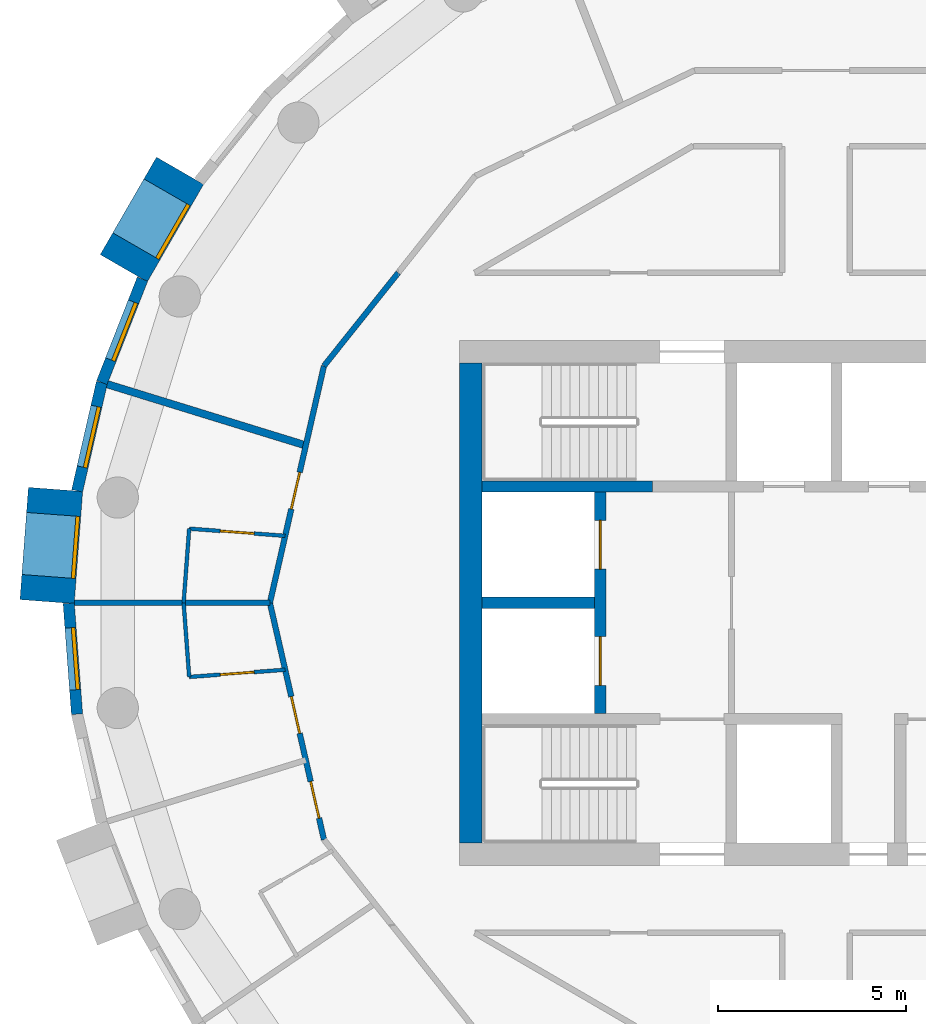
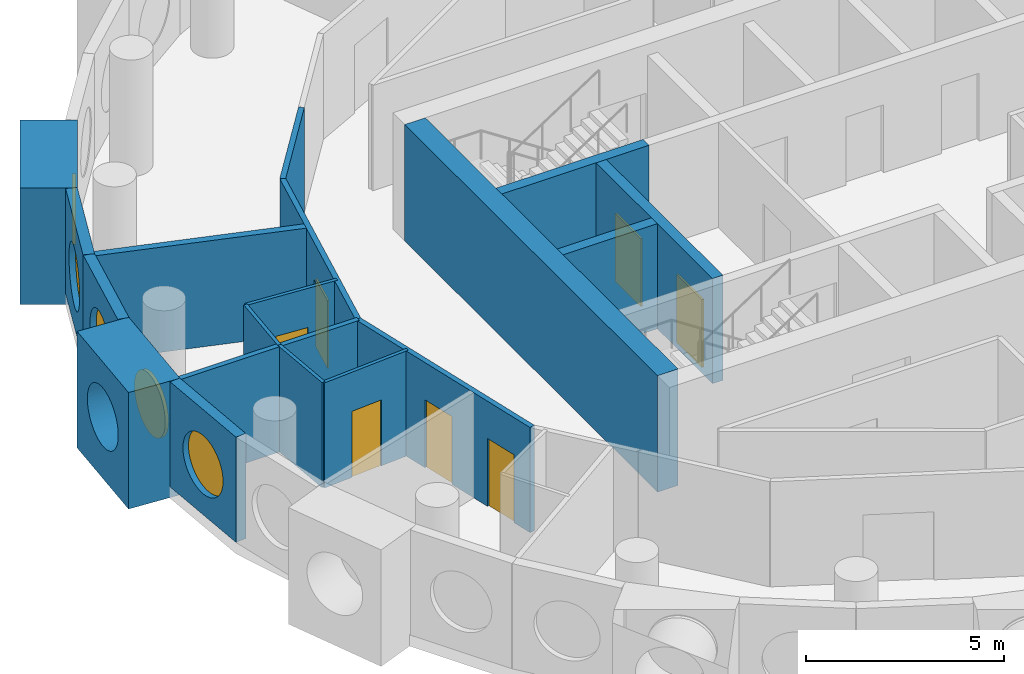
# One storey, part 5 of 11: 18 walls, 7 doors, 5 windows, 12 openings.
"""IFC4 building model written with IfcOpenShell, lengths in metres."""

from ifc_helpers import new_model, si_unit, direction, frame, frame_2d, origin, origin_2d, place, context, subcontext, project, spatial, rectangle, circle, extrude, material, layer, layer_set, type_object, element, fill, save


model = new_model("IFC4")

# Units and contexts
model_context = context("Model", 3, precision=1e-05, world=origin(), true_north=direction((0.0, 1.0)))
body_context = subcontext(model_context, "Body", "Model", "MODEL_VIEW")
ifc_project = project(units=[si_unit("LENGTHUNIT", "METRE"), si_unit("AREAUNIT", "SQUARE_METRE"), si_unit("VOLUMEUNIT", "CUBIC_METRE"), si_unit("PLANEANGLEUNIT", "RADIAN"), si_unit("MASSUNIT", "GRAM", prefix="KILO")], contexts=[model_context])

# Site, building, storey
site_placement = place(None, origin())
site = spatial("IfcSite", under=ifc_project, at=site_placement, CompositionType="ELEMENT")
building_placement = place(site_placement, origin())
building = spatial("IfcBuilding", under=site, at=building_placement, Name="Tracery Tower", CompositionType="ELEMENT")
storey_placement = place(building_placement, frame((0.0, 0.0, 238.199951171875)))
storey = spatial("IfcBuildingStorey", under=building, at=storey_placement, Name="L61", CompositionType="ELEMENT", Elevation=238.199951171875)

# Wall
ifc_material_1 = material(Name="Concrete C40/50", Category="concrete")
ifc_layer_1 = layer(ifc_material_1, 0.60009765625)
ifc_layer_set_1 = layer_set([ifc_layer_1], Name="Core wall 600 C40")
wall_type_1 = type_object("IfcWallType", Name="Core wall 600 C40", PredefinedType="SOLIDWALL", material=ifc_layer_set_1)
wall_1_placement = place(storey_placement, frame((-9.199951171875, -6.39990234375, 0.0), z_axis=(0.0, 0.0, 1.0), x_axis=(0.0, 1.0, 0.0)))
element("IfcWall", 1, at=wall_1_placement, inside=storey, type_object=wall_type_1, Name="L61 outer W", PredefinedType="SOLIDWALL", context=body_context, shape_type="SweptSolid", body=[
    extrude(rectangle(XDim=12.7998046875, YDim=0.60009765625, at=frame_2d((6.39990234375, 0.0))), origin(), (0.0, 0.0, 1.0), 3.60009765625),
])

# Wall, opening, window
ifc_material_2 = material(Name="Precast concrete C50/60", Category="concrete")
ifc_layer_2 = layer(ifc_material_2, 1.449951171875)
ifc_layer_set_2 = layer_set([ifc_layer_2], Name="Deep-set bay unit 3000 x 3600, slab edge 350")
wall_type_2 = type_object("IfcWallType", Name="Deep-set bay unit 3000 x 3600, slab edge 350", PredefinedType="ELEMENTEDWALL", material=ifc_layer_set_2)
wall_2_placement = place(storey_placement, frame((-16.952392578125, 11.51953125, -0.349853515625), z_axis=(0.0, 0.0, 1.0), x_axis=(-0.499990139034, -0.866031096941, 0.0)))
wall_2 = element("IfcWall", 2, at=wall_2_placement, inside=storey, type_object=wall_type_2, Name="Deep-set bay unit 18 at L61", PredefinedType="ELEMENTEDWALL", context=body_context, shape_type="SweptSolid", body=[
    extrude(rectangle(XDim=3.0, YDim=1.449951171875, at=frame_2d((1.5, 0.0))), origin(), (0.0, 0.0, 1.0), 3.599853515625),
])
opening_1_placement = place(wall_2_placement, frame((1.5, 0.0, 1.89990234375)))
opening_1 = element("IfcOpeningElement", 3, at=opening_1_placement, cuts=wall_2, Name="Opening WN1", PredefinedType="OPENING", context=body_context, shape_type="SweptSolid", body=[
    extrude(circle(Radius=0.9000244140625, at=origin_2d()), frame((0.0, 0.73486328125, 0.0), z_axis=(0.0, -1.0, 0.0), x_axis=(1.0, 0.0, 0.0)), (0.0, 0.0, 1.0), 1.469970703125),
])
ifc_material_3 = material(Name="Aluminium frame with tinted double glazing", Category="aluminium")
window_type = type_object("IfcWindowType", Name="Round window 1800", PartitioningType="SINGLE_PANEL", PredefinedType="WINDOW", material=ifc_material_3)
window_1_placement = place(opening_1_placement, origin())
window_1 = element("IfcWindow", 4, at=window_1_placement, inside=storey, type_object=window_type, Name="Round window 18 at L61", OverallHeight=1.800048828125, OverallWidth=1.800048828125, PartitioningType="SINGLE_PANEL", PredefinedType="WINDOW", context=body_context, shape_type="SweptSolid", body=[
    extrude(circle(Radius=0.9000244140625, at=origin_2d()), frame((0.0, 0.69482421875, 0.0), z_axis=(0.0, -1.0, 0.0), x_axis=(1.0, 0.0, 0.0)), (0.0, 0.0, 1.0), 0.10009765625),
])
fill(opening_1, window_1)

wall_3_placement = place(storey_placement, frame((-20.271728515625, 3.0234375, -0.349853515625), z_axis=(0.0, 0.0, 1.0), x_axis=(-0.074785902127, -0.997199613339, 0.0)))
wall_3 = element("IfcWall", 5, at=wall_3_placement, inside=storey, type_object=wall_type_2, Name="Deep-set bay unit 21 at L61", PredefinedType="ELEMENTEDWALL", context=body_context, shape_type="SweptSolid", body=[
    extrude(rectangle(XDim=3.0, YDim=1.449951171875, at=frame_2d((1.5, 0.0))), origin(), (0.0, 0.0, 1.0), 3.599853515625),
])
opening_2_placement = place(wall_3_placement, frame((1.5, 0.0, 1.89990234375)))
opening_2 = element("IfcOpeningElement", 6, at=opening_2_placement, cuts=wall_3, Name="Opening WN1", PredefinedType="OPENING", context=body_context, shape_type="SweptSolid", body=[
    extrude(circle(Radius=0.9000244140625, at=origin_2d()), frame((0.0, 0.73486328125, 0.0), z_axis=(0.0, -1.0, 0.0), x_axis=(1.0, 0.0, 0.0)), (0.0, 0.0, 1.0), 1.469970703125),
])
window_2_placement = place(opening_2_placement, origin())
window_2 = element("IfcWindow", 7, at=window_2_placement, inside=storey, type_object=window_type, Name="Round window 21 at L61", OverallHeight=1.800048828125, OverallWidth=1.800048828125, PartitioningType="SINGLE_PANEL", PredefinedType="WINDOW", context=body_context, shape_type="SweptSolid", body=[
    extrude(circle(Radius=0.9000244140625, at=origin_2d()), frame((0.0, 0.69482421875, 0.0), z_axis=(0.0, -1.0, 0.0), x_axis=(1.0, 0.0, 0.0)), (0.0, 0.0, 1.0), 0.10009765625),
])
fill(opening_2, window_2)

ifc_material_4 = material(Name="Precast concrete C50/60", Category="concrete")
ifc_layer_3 = layer(ifc_material_4, 0.300048828125)
ifc_layer_set_3 = layer_set([ifc_layer_3], Name="Facade panel 3000 x 3250")
wall_type_3 = type_object("IfcWallType", Name="Facade panel 3000 x 3250", PredefinedType="SOLIDWALL", material=ifc_layer_set_3)
wall_4_placement = place(storey_placement, frame((-17.95458984375, 8.62939453125, 0.0), z_axis=(0.0, 0.0, 1.0), x_axis=(-0.36530043032, -0.930889679612, 0.0)))
wall_4 = element("IfcWall", 8, at=wall_4_placement, inside=storey, type_object=wall_type_3, Name="Facade panel 19 at L61", PredefinedType="SOLIDWALL", context=body_context, shape_type="SweptSolid", body=[
    extrude(rectangle(XDim=2.9619140625, YDim=0.300048828125, at=frame_2d((1.48095703125, 0.0))), origin(), (0.0, 0.0, 1.0), 3.25),
])
opening_3_placement = place(wall_4_placement, frame((1.48095703125, 0.0, 1.5498046875)))
opening_3 = element("IfcOpeningElement", 9, at=opening_3_placement, cuts=wall_4, Name="Opening WN1", PredefinedType="OPENING", context=body_context, shape_type="SweptSolid", body=[
    extrude(circle(Radius=0.9000244140625, at=origin_2d()), frame((0.0, 0.159912109375, 0.0), z_axis=(0.0, -1.0, 0.0), x_axis=(1.0, 0.0, 0.0)), (0.0, 0.0, 1.0), 0.320068359375),
])
window_3_placement = place(opening_3_placement, origin())
window_3 = element("IfcWindow", 10, at=window_3_placement, inside=storey, type_object=window_type, Name="Round window 19 at L61", OverallHeight=1.800048828125, OverallWidth=1.800048828125, PartitioningType="SINGLE_PANEL", PredefinedType="WINDOW", context=body_context, shape_type="SweptSolid", body=[
    extrude(circle(Radius=0.9000244140625, at=origin_2d()), frame((0.0, 0.1201171875, 0.0), z_axis=(0.0, -1.0, 0.0), x_axis=(1.0, 0.0, 0.0)), (0.0, 0.0, 1.0), 0.10009765625),
])
fill(opening_3, window_3)

wall_5_placement = place(storey_placement, frame((-19.03662109375, 5.8720703125, 0.0), z_axis=(0.0, 0.0, 1.0), x_axis=(-0.222529389789, -0.974925982155, 0.0)))
wall_5 = element("IfcWall", 11, at=wall_5_placement, inside=storey, type_object=wall_type_3, Name="Facade panel 20 at L61", PredefinedType="SOLIDWALL", context=body_context, shape_type="SweptSolid", body=[
    extrude(rectangle(XDim=2.962158203125, YDim=0.300048828125, at=frame_2d((1.48095703125, 0.0))), origin(), (0.0, 0.0, 1.0), 3.25),
])
opening_4_placement = place(wall_5_placement, frame((1.48095703125, 0.0, 1.5498046875)))
opening_4 = element("IfcOpeningElement", 12, at=opening_4_placement, cuts=wall_5, Name="Opening WN1", PredefinedType="OPENING", context=body_context, shape_type="SweptSolid", body=[
    extrude(circle(Radius=0.9000244140625, at=origin_2d()), frame((0.0, 0.159912109375, 0.0), z_axis=(0.0, -1.0, 0.0), x_axis=(1.0, 0.0, 0.0)), (0.0, 0.0, 1.0), 0.320068359375),
])
window_4_placement = place(opening_4_placement, origin())
window_4 = element("IfcWindow", 13, at=window_4_placement, inside=storey, type_object=window_type, Name="Round window 20 at L61", OverallHeight=1.800048828125, OverallWidth=1.800048828125, PartitioningType="SINGLE_PANEL", PredefinedType="WINDOW", context=body_context, shape_type="SweptSolid", body=[
    extrude(circle(Radius=0.9000244140625, at=origin_2d()), frame((0.0, 0.1201171875, 0.0), z_axis=(0.0, -1.0, 0.0), x_axis=(1.0, 0.0, 0.0)), (0.0, 0.0, 1.0), 0.10009765625),
])
fill(opening_4, window_4)

wall_6_placement = place(storey_placement, frame((-19.920654296875, -0.01513671875, 0.0), z_axis=(0.0, 0.0, 1.0), x_axis=(0.07474897196, -0.997202382263, 0.0)))
wall_6 = element("IfcWall", 14, at=wall_6_placement, inside=storey, type_object=wall_type_3, Name="Facade panel 22 at L61", PredefinedType="SOLIDWALL", context=body_context, shape_type="SweptSolid", body=[
    extrude(rectangle(XDim=2.96240234375, YDim=0.300048828125, at=frame_2d((1.481201171875, 0.0))), origin(), (0.0, 0.0, 1.0), 3.25),
])
opening_5_placement = place(wall_6_placement, frame((1.48095703125, 0.0, 1.5498046875)))
opening_5 = element("IfcOpeningElement", 15, at=opening_5_placement, cuts=wall_6, Name="Opening WN1", PredefinedType="OPENING", context=body_context, shape_type="SweptSolid", body=[
    extrude(circle(Radius=0.9000244140625, at=origin_2d()), frame((0.0, 0.159912109375, 0.0), z_axis=(0.0, -1.0, 0.0), x_axis=(1.0, 0.0, 0.0)), (0.0, 0.0, 1.0), 0.320068359375),
])
window_5_placement = place(opening_5_placement, origin())
window_5 = element("IfcWindow", 16, at=window_5_placement, inside=storey, type_object=window_type, Name="Round window 22 at L61", OverallHeight=1.800048828125, OverallWidth=1.800048828125, PartitioningType="SINGLE_PANEL", PredefinedType="WINDOW", context=body_context, shape_type="SweptSolid", body=[
    extrude(circle(Radius=0.9000244140625, at=origin_2d()), frame((0.0, 0.1201171875, 0.0), z_axis=(0.0, -1.0, 0.0), x_axis=(1.0, 0.0, 0.0)), (0.0, 0.0, 1.0), 0.10009765625),
])
fill(opening_5, window_5)

# Wall, opening, door
ifc_material_5 = material(Name="Plasterboard on steel studs", Category="steel")
ifc_layer_4 = layer(ifc_material_5, 0.10009765625)
ifc_layer_set_4 = layer_set([ifc_layer_4], Name="Partition 100 wet wall")
wall_type_4 = type_object("IfcWallType", Name="Partition 100 wet wall", PredefinedType="PARTITIONING", material=ifc_layer_set_4)
wall_7_placement = place(storey_placement, frame((-16.7080078125, 1.97705078125, 0.0), z_axis=(0.0, 0.0, 1.0), x_axis=(0.997193275785, -0.074870359477, 0.0)))
wall_7 = element("IfcWall", 17, at=wall_7_placement, inside=storey, type_object=wall_type_4, Name="Wet wall RC1-060", PredefinedType="PARTITIONING", context=body_context, shape_type="SweptSolid", body=[
    extrude(rectangle(XDim=2.56640625, YDim=0.10009765625, at=frame_2d((1.283203125, 0.0))), origin(), (0.0, 0.0, 1.0), 3.25),
])
opening_6_placement = place(wall_7_placement, frame((0.833251953125, 0.0, 0.0)))
opening_6 = element("IfcOpeningElement", 18, at=opening_6_placement, cuts=wall_7, Name="Opening RC1-14", PredefinedType="OPENING", context=body_context, shape_type="SweptSolid", body=[
    extrude(rectangle(XDim=0.89990234375, YDim=2.0400390625, at=frame_2d((0.449951171875, 1.02001953125))), frame((0.0, 0.050048828125, 0.0), z_axis=(0.0, -1.0, 0.0), x_axis=(1.0, 0.0, 0.0)), (0.0, 0.0, 1.0), 0.10009765625),
])
ifc_material_6 = material(Name="Timber door leaf", Category="wood")
door_type_1 = type_object("IfcDoorType", Name="Door en-suite 900", OperationType="NOTDEFINED", PredefinedType="DOOR", material=ifc_material_6)
door_1_placement = place(opening_6_placement, origin())
door_1 = element("IfcDoor", 19, at=door_1_placement, inside=storey, type_object=door_type_1, Name="En-suite door RC1-14", OperationType="SINGLE_SWING_LEFT", OverallHeight=2.0400390625, OverallWidth=0.89990234375, PredefinedType="DOOR", context=body_context, shape_type="SweptSolid", body=[
    extrude(rectangle(XDim=0.89990234375, YDim=2.0400390625, at=frame_2d((0.449951171875, 1.02001953125))), frame((0.0, 0.02490234375, 0.0), z_axis=(0.0, -1.0, 0.0), x_axis=(1.0, 0.0, 0.0)), (0.0, 0.0, 1.0), 0.050048828125),
])
fill(opening_6, door_1)

# Walls
for number, where, z_axis, x_axis, name in (
    (20, (-16.85595703125, 0.0, 0.0), (0.0, 0.0, 1.0), (0.074624634103, 0.997211694669, 0.0), "Wet wall RC1-061"),
    (21, (-16.85595703125, 0.0, 0.0), (0.0, 0.0, 1.0), (0.074624634103, -0.997211694669, 0.0), "Wet wall RC1-063"),
):
    element("IfcWall", number, at=place(storey_placement, frame(where, z_axis=z_axis, x_axis=x_axis)), inside=storey, type_object=wall_type_4, Name=name, PredefinedType="PARTITIONING", context=body_context, shape_type="SweptSolid", body=[
        extrude(rectangle(XDim=1.982666015625, YDim=0.10009765625, at=frame_2d((0.9912109375, 0.0))), origin(), (0.0, 0.0, 1.0), 3.25),
    ])

# Wall, opening, door
wall_8_placement = place(storey_placement, frame((-16.7080078125, -1.97705078125, 0.0), z_axis=(0.0, 0.0, 1.0), x_axis=(0.997193275785, 0.074870359477, 0.0)))
wall_8 = element("IfcWall", 22, at=wall_8_placement, inside=storey, type_object=wall_type_4, Name="Wet wall RC1-064", PredefinedType="PARTITIONING", context=body_context, shape_type="SweptSolid", body=[
    extrude(rectangle(XDim=2.56640625, YDim=0.10009765625, at=frame_2d((1.283203125, 0.0))), origin(), (0.0, 0.0, 1.0), 3.25),
])
opening_7_placement = place(wall_8_placement, frame((0.8330078125, 0.0, 0.0)))
opening_7 = element("IfcOpeningElement", 23, at=opening_7_placement, cuts=wall_8, Name="Opening RC1-16", PredefinedType="OPENING", context=body_context, shape_type="SweptSolid", body=[
    extrude(rectangle(XDim=0.89990234375, YDim=2.0400390625, at=frame_2d((0.449951171875, 1.02001953125))), frame((0.0, 0.050048828125, 0.0), z_axis=(0.0, -1.0, 0.0), x_axis=(1.0, 0.0, 0.0)), (0.0, 0.0, 1.0), 0.10009765625),
])
door_2_placement = place(opening_7_placement, origin())
door_2 = element("IfcDoor", 24, at=door_2_placement, inside=storey, type_object=door_type_1, Name="En-suite door RC1-16", OperationType="SINGLE_SWING_LEFT", OverallHeight=2.0400390625, OverallWidth=0.89990234375, PredefinedType="DOOR", context=body_context, shape_type="SweptSolid", body=[
    extrude(rectangle(XDim=0.89990234375, YDim=2.0400390625, at=frame_2d((0.449951171875, 1.02001953125))), frame((0.0, 0.02490234375, 0.0), z_axis=(0.0, -1.0, 0.0), x_axis=(1.0, 0.0, 0.0)), (0.0, 0.0, 1.0), 0.050048828125),
])
fill(opening_7, door_2)

# Wall
ifc_material_7 = material(Name="Plasterboard on steel studs", Category="steel")
ifc_layer_5 = layer(ifc_material_7, 0.14990234375)
ifc_layer_set_5 = layer_set([ifc_layer_5], Name="Partition 150 acoustic unit wall")
wall_type_5 = type_object("IfcWallType", Name="Partition 150 acoustic unit wall", PredefinedType="PARTITIONING", material=ifc_layer_set_5)
wall_9_placement = place(storey_placement, frame((-19.77099609375, 0.0, 0.0), z_axis=(0.0, 0.0, 1.0), x_axis=(1.0, 0.0, 0.0)))
element("IfcWall", 25, at=wall_9_placement, inside=storey, type_object=wall_type_5, Name="Unit wall RC1-062", PredefinedType="PARTITIONING", context=body_context, shape_type="SweptSolid", body=[
    extrude(rectangle(XDim=5.214111328125, YDim=0.14990234375, at=frame_2d((2.60693359375, 0.0))), origin(), (0.0, 0.0, 1.0), 3.25),
])

# Wall, opening, door
ifc_material_8 = material(Name="Plasterboard on steel studs", Category="steel")
ifc_layer_6 = layer(ifc_material_8, 0.14990234375)
ifc_layer_set_6 = layer_set([ifc_layer_6], Name="Partition 150 corridor wall")
wall_type_6 = type_object("IfcWallType", Name="Partition 150 corridor wall", PredefinedType="PARTITIONING", material=ifc_layer_set_6)
wall_10_placement = place(storey_placement, frame((-14.556640625, 0.0, 0.0), z_axis=(0.0, 0.0, 1.0), x_axis=(0.222533159771, 0.974925121639, 0.0)))
wall_10 = element("IfcWall", 26, at=wall_10_placement, inside=storey, type_object=wall_type_6, Name="Corridor wall RC1-033", PredefinedType="PARTITIONING", context=body_context, shape_type="SweptSolid", body=[
    extrude(rectangle(XDim=6.478271484375, YDim=0.14990234375, at=frame_2d((3.2392578125, 0.0))), origin(), (0.0, 0.0, 1.0), 3.25),
])
opening_8_placement = place(wall_10_placement, frame((2.56689453125, 0.0, 0.0)))
opening_8 = element("IfcOpeningElement", 27, at=opening_8_placement, cuts=wall_10, Name="Opening RC1-15", PredefinedType="OPENING", context=body_context, shape_type="SweptSolid", body=[
    extrude(rectangle(XDim=1.0, YDim=2.10009765625, at=frame_2d((0.5, 1.050048828125))), frame((0.0, 0.074951171875, 0.0), z_axis=(0.0, -1.0, 0.0), x_axis=(1.0, 0.0, 0.0)), (0.0, 0.0, 1.0), 0.14990234375),
])
ifc_material_9 = material(Name="Timber door leaf", Category="wood")
door_type_2 = type_object("IfcDoorType", Name="Door unit entrance 1000", OperationType="NOTDEFINED", PredefinedType="DOOR", material=ifc_material_9)
door_3_placement = place(opening_8_placement, origin())
door_3 = element("IfcDoor", 28, at=door_3_placement, inside=storey, type_object=door_type_2, Name="Unit entrance door RC1-15", OperationType="SINGLE_SWING_LEFT", OverallHeight=2.10009765625, OverallWidth=1.0, PredefinedType="DOOR", context=body_context, shape_type="SweptSolid", body=[
    extrude(rectangle(XDim=1.0, YDim=2.10009765625, at=frame_2d((0.5, 1.050048828125))), frame((0.0, 0.02490234375, 0.0), z_axis=(0.0, -1.0, 0.0), x_axis=(1.0, 0.0, 0.0)), (0.0, 0.0, 1.0), 0.050048828125),
])
fill(opening_8, door_3)

# Wall
wall_11_placement = place(storey_placement, frame((-13.114990234375, 6.31591796875, 0.0), z_axis=(0.0, 0.0, 1.0), x_axis=(0.623476099415, 0.781842409606, 0.0)))
element("IfcWall", 29, at=wall_11_placement, inside=storey, type_object=wall_type_6, Name="Corridor wall RC1-034", PredefinedType="PARTITIONING", context=body_context, shape_type="SweptSolid", body=[
    extrude(rectangle(XDim=3.17724609375, YDim=0.14990234375, at=frame_2d((1.588623046875, 0.0))), origin(), (0.0, 0.0, 1.0), 3.25),
])

# Wall, openings, doors
wall_12_placement = place(storey_placement, frame((-14.556640625, 0.0, 0.0), z_axis=(0.0, 0.0, 1.0), x_axis=(0.222568978642, -0.97491694505, 0.0)))
wall_12 = element("IfcWall", 30, at=wall_12_placement, inside=storey, type_object=wall_type_6, Name="Corridor wall RC1-035", PredefinedType="PARTITIONING", context=body_context, shape_type="SweptSolid", body=[
    extrude(rectangle(XDim=6.478515625, YDim=0.14990234375, at=frame_2d((3.2392578125, 0.0))), origin(), (0.0, 0.0, 1.0), 3.25),
])
opening_9_placement = place(wall_12_placement, frame((2.567138671875, 0.0, 0.0)))
opening_9 = element("IfcOpeningElement", 31, at=opening_9_placement, cuts=wall_12, Name="Opening RC1-17", PredefinedType="OPENING", context=body_context, shape_type="SweptSolid", body=[
    extrude(rectangle(XDim=1.0, YDim=2.10009765625, at=frame_2d((0.5, 1.050048828125))), frame((0.0, 0.074951171875, 0.0), z_axis=(0.0, -1.0, 0.0), x_axis=(1.0, 0.0, 0.0)), (0.0, 0.0, 1.0), 0.14990234375),
])
opening_10_placement = place(wall_12_placement, frame((4.888427734375, 0.0, 0.0)))
opening_10 = element("IfcOpeningElement", 32, at=opening_10_placement, cuts=wall_12, Name="Opening RC1-19", PredefinedType="OPENING", context=body_context, shape_type="SweptSolid", body=[
    extrude(rectangle(XDim=1.0, YDim=2.10009765625, at=frame_2d((0.5, 1.050048828125))), frame((0.0, 0.074951171875, 0.0), z_axis=(0.0, -1.0, 0.0), x_axis=(1.0, 0.0, 0.0)), (0.0, 0.0, 1.0), 0.14990234375),
])
door_4_placement = place(opening_9_placement, origin())
door_4 = element("IfcDoor", 33, at=door_4_placement, inside=storey, type_object=door_type_2, Name="Unit entrance door RC1-17", OperationType="SINGLE_SWING_LEFT", OverallHeight=2.10009765625, OverallWidth=1.0, PredefinedType="DOOR", context=body_context, shape_type="SweptSolid", body=[
    extrude(rectangle(XDim=1.0, YDim=2.10009765625, at=frame_2d((0.5, 1.050048828125))), frame((0.0, 0.02490234375, 0.0), z_axis=(0.0, -1.0, 0.0), x_axis=(1.0, 0.0, 0.0)), (0.0, 0.0, 1.0), 0.050048828125),
])
fill(opening_9, door_4)
door_5_placement = place(opening_10_placement, origin())
door_5 = element("IfcDoor", 34, at=door_5_placement, inside=storey, type_object=door_type_2, Name="Unit entrance door RC1-19", OperationType="SINGLE_SWING_RIGHT", OverallHeight=2.10009765625, OverallWidth=1.0, PredefinedType="DOOR", context=body_context, shape_type="SweptSolid", body=[
    extrude(rectangle(XDim=1.0, YDim=2.10009765625, at=frame_2d((0.5, 1.050048828125))), frame((0.0, 0.02490234375, 0.0), z_axis=(0.0, -1.0, 0.0), x_axis=(1.0, 0.0, 0.0)), (0.0, 0.0, 1.0), 0.050048828125),
])
fill(opening_10, door_5)

# Walls
ifc_material_10 = material(Name="Plasterboard on steel studs", Category="steel")
ifc_layer_7 = layer(ifc_material_10, 0.199951171875)
ifc_layer_set_7 = layer_set([ifc_layer_7], Name="Partition 200 compartment wall")
wall_type_7 = type_object("IfcWallType", Name="Partition 200 compartment wall", PredefinedType="PARTITIONING", material=ifc_layer_set_7)
wall_13_placement = place(storey_placement, frame((-18.89306640625, 5.827880859375, 0.0), z_axis=(0.0, 0.0, 1.0), x_axis=(0.955580602693, -0.294729896274, 0.0)))
element("IfcWall", 35, at=wall_13_placement, inside=storey, type_object=wall_type_7, Name="Compartment wall RC1-059", PredefinedType="PARTITIONING", context=body_context, shape_type="SweptSolid", body=[
    extrude(rectangle(XDim=5.5400390625, YDim=0.199951171875, at=frame_2d((2.77001953125, 0.0))), origin(), (0.0, 0.0, 1.0), 3.25),
])
ifc_material_11 = material(Name="Concrete C40/50", Category="concrete")
ifc_layer_8 = layer(ifc_material_11, 0.300048828125)
ifc_layer_set_8 = layer_set([ifc_layer_8], Name="Shaft wall 300 C40")
wall_type_8 = type_object("IfcWallType", Name="Shaft wall 300 C40", PredefinedType="SOLIDWALL", material=ifc_layer_set_8)
wall_14_placement = place(storey_placement, frame((-8.89990234375, 0.0, 0.0), z_axis=(0.0, 0.0, 1.0), x_axis=(1.0, 0.0, 0.0)))
element("IfcWall", 36, at=wall_14_placement, inside=storey, type_object=wall_type_8, Name="L61 FF split", PredefinedType="SOLIDWALL", context=body_context, shape_type="SweptSolid", body=[
    extrude(rectangle(XDim=3.0, YDim=0.300048828125, at=frame_2d((1.5, 0.0))), origin(), (0.0, 0.0, 1.0), 3.25),
])

# Wall, openings, doors
wall_15_placement = place(storey_placement, frame((-5.75, -2.949951171875, 0.0), z_axis=(0.0, 0.0, 1.0), x_axis=(0.0, 1.0, 0.0)))
wall_15 = element("IfcWall", 37, at=wall_15_placement, inside=storey, type_object=wall_type_8, Name="L61 FF doors", PredefinedType="SOLIDWALL", context=body_context, shape_type="SweptSolid", body=[
    extrude(rectangle(XDim=5.89990234375, YDim=0.300048828125, at=frame_2d((2.949951171875, 0.0))), origin(), (0.0, 0.0, 1.0), 3.25),
])
opening_11_placement = place(wall_15_placement, frame((0.75, 0.0, 0.0)))
opening_11 = element("IfcOpeningElement", 38, at=opening_11_placement, cuts=wall_15, Name="Opening KD54", PredefinedType="OPENING", context=body_context, shape_type="SweptSolid", body=[
    extrude(rectangle(XDim=1.300048828125, YDim=2.10009765625, at=frame_2d((0.64990234375, 1.050048828125))), frame((0.0, 0.14990234375, 0.0), z_axis=(0.0, -1.0, 0.0), x_axis=(1.0, 0.0, 0.0)), (0.0, 0.0, 1.0), 0.300048828125),
])
opening_12_placement = place(wall_15_placement, frame((3.85009765625, 0.0, 0.0)))
opening_12 = element("IfcOpeningElement", 39, at=opening_12_placement, cuts=wall_15, Name="Opening KD55", PredefinedType="OPENING", context=body_context, shape_type="SweptSolid", body=[
    extrude(rectangle(XDim=1.300048828125, YDim=2.10009765625, at=frame_2d((0.64990234375, 1.050048828125))), frame((0.0, 0.14990234375, 0.0), z_axis=(0.0, -1.0, 0.0), x_axis=(1.0, 0.0, 0.0)), (0.0, 0.0, 1.0), 0.300048828125),
])
ifc_material_12 = material(Name="Steel fire door", Category="steel")
door_type_3 = type_object("IfcDoorType", Name="Landing door FF 1300", OperationType="NOTDEFINED", PredefinedType="DOOR", material=ifc_material_12)
door_6_placement = place(opening_11_placement, origin())
door_6 = element("IfcDoor", 40, at=door_6_placement, inside=storey, type_object=door_type_3, Name="Landing door FF1", OperationType="SLIDING_TO_LEFT", OverallHeight=2.10009765625, OverallWidth=1.300048828125, PredefinedType="DOOR", context=body_context, shape_type="SweptSolid", body=[
    extrude(rectangle(XDim=1.300048828125, YDim=2.10009765625, at=frame_2d((0.64990234375, 1.050048828125))), frame((0.0, 0.02490234375, 0.0), z_axis=(0.0, -1.0, 0.0), x_axis=(1.0, 0.0, 0.0)), (0.0, 0.0, 1.0), 0.050048828125),
])
fill(opening_11, door_6)
door_7_placement = place(opening_12_placement, origin())
door_7 = element("IfcDoor", 41, at=door_7_placement, inside=storey, type_object=door_type_3, Name="Landing door FF2", OperationType="SLIDING_TO_RIGHT", OverallHeight=2.10009765625, OverallWidth=1.300048828125, PredefinedType="DOOR", context=body_context, shape_type="SweptSolid", body=[
    extrude(rectangle(XDim=1.300048828125, YDim=2.10009765625, at=frame_2d((0.64990234375, 1.050048828125))), frame((0.0, 0.02490234375, 0.0), z_axis=(0.0, -1.0, 0.0), x_axis=(1.0, 0.0, 0.0)), (0.0, 0.0, 1.0), 0.050048828125),
])
fill(opening_12, door_7)

# Wall
ifc_material_13 = material(Name="Concrete C40/50", Category="concrete")
ifc_layer_9 = layer(ifc_material_13, 0.300048828125)
ifc_layer_set_9 = layer_set([ifc_layer_9], Name="Stair wall 300 C40")
wall_type_9 = type_object("IfcWallType", Name="Stair wall 300 C40", PredefinedType="SOLIDWALL", material=ifc_layer_set_9)
wall_16_placement = place(storey_placement, frame((-8.89990234375, 3.10009765625, 0.0), z_axis=(0.0, 0.0, 1.0), x_axis=(1.0, 0.0, 0.0)))
element("IfcWall", 42, at=wall_16_placement, inside=storey, type_object=wall_type_9, Name="L61 row N W", PredefinedType="SOLIDWALL", context=body_context, shape_type="SweptSolid", body=[
    extrude(rectangle(XDim=4.5498046875, YDim=0.300048828125, at=frame_2d((2.27490234375, 0.0))), origin(), (0.0, 0.0, 1.0), 3.25),
])

save(model, "model.ifc")
